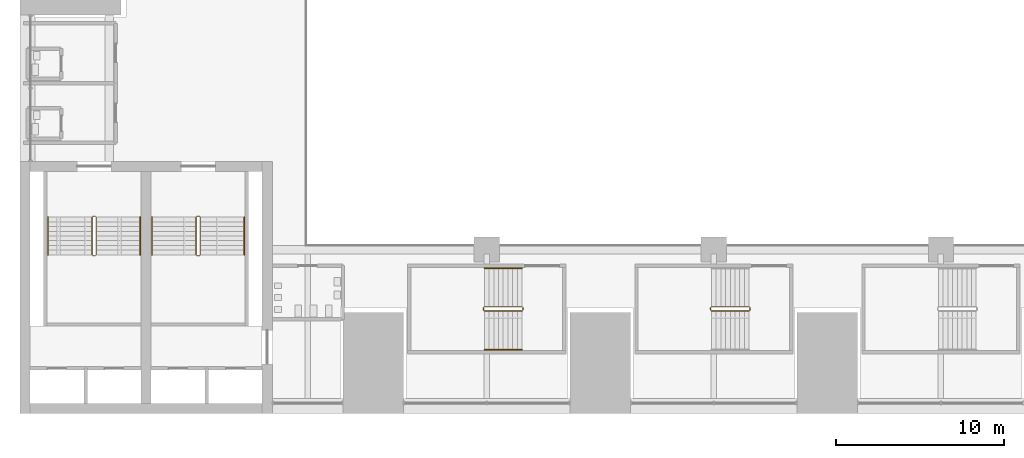
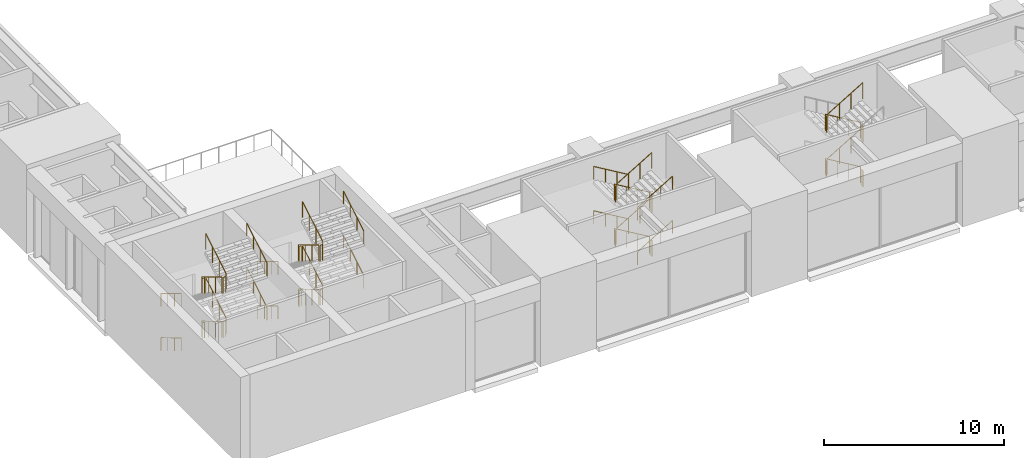
# One storey, part 37 of 43: 7 railings.
"""IFC4 building model written with IfcOpenShell, lengths in metres."""

from ifc_helpers import new_model, si_unit, direction, frame, origin, origin_2d, place, context, subcontext, project, spatial, circle, extrude, material, type_object, element, save


model = new_model("IFC4")

# Units and contexts
model_context = context("Model", 3, precision=1e-05, world=origin(), true_north=direction((0.0, 1.0)))
body_context = subcontext(model_context, "Body", "Model", "MODEL_VIEW")
ifc_project = project(units=[si_unit("LENGTHUNIT", "METRE"), si_unit("AREAUNIT", "SQUARE_METRE"), si_unit("VOLUMEUNIT", "CUBIC_METRE"), si_unit("PLANEANGLEUNIT", "RADIAN"), si_unit("MASSUNIT", "GRAM", prefix="KILO")], contexts=[model_context])

# Site, building, storey
site_placement = place(None, origin())
site = spatial("IfcSite", under=ifc_project, at=site_placement, CompositionType="ELEMENT")
building_placement = place(site_placement, origin())
building = spatial("IfcBuilding", under=site, at=building_placement, Name="Corbelhall Arena Tower", CompositionType="ELEMENT")
storey_placement = place(building_placement, frame((0.0, 0.0, 25.0)))
storey = spatial("IfcBuildingStorey", under=building, at=storey_placement, Name="L03", CompositionType="ELEMENT", Elevation=25.0)

# Railings
ifc_material = material(Name="Stainless steel A4", Category="steel")
railing_type_1 = type_object("IfcRailingType", Name="AR-STAIR-GUARD", PredefinedType="GUARDRAIL", material=ifc_material)
railing_1_placement = place(storey_placement, frame((-18.14990234375, -32.64990234375, 0.166748046875)))
element("IfcRailing", 1, at=railing_1_placement, inside=storey, type_object=railing_type_1, Name="L03 AS13 stair guards", PredefinedType="GUARDRAIL", context=body_context, shape_type="SweptSolid", body=[
    extrude(circle(Radius=0.02392578125, at=origin_2d()), frame((0.0, 0.0, 1.076171875), z_axis=(-0.859305625298, 0.0, 0.511462454469), x_axis=(0.0, -1.0, 0.0)), (0.0, 0.0, 1.0), 2.606689453125),
    extrude(circle(Radius=0.02392578125, at=origin_2d()), frame((-2.2900390625, -0.050048828125, 2.4091796875), z_axis=(0.0, -1.0, 0.0), x_axis=(1.0, 0.0, 0.0)), (0.0, 0.0, 1.0), 0.150146484375),
    extrude(circle(Radius=0.02392578125, at=origin_2d()), frame((-2.239990234375, -0.25, 2.576171875), z_axis=(0.859305625298, 0.0, 0.511462454469), x_axis=(0.0, 1.0, 0.0)), (0.0, 0.0, 1.0), 2.606689453125),
    extrude(circle(Radius=0.02392578125, at=origin_2d()), frame((0.0498046875, -0.050048828125, 3.9091796875), z_axis=(0.0, -1.0, 0.0), x_axis=(1.0, 0.0, 0.0)), (0.0, 0.0, 1.0), 0.150146484375),
    extrude(circle(Radius=0.02392578125, at=origin_2d()), frame((0.0, 0.0, 4.076171875), z_axis=(-0.859305625298, 0.0, 0.511462454469), x_axis=(0.0, -1.0, 0.0)), (0.0, 0.0, 1.0), 2.606689453125),
    extrude(circle(Radius=0.02392578125, at=origin_2d()), frame((-2.2900390625, -0.050048828125, 5.4091796875), z_axis=(0.0, -1.0, 0.0), x_axis=(1.0, 0.0, 0.0)), (0.0, 0.0, 1.0), 0.150146484375),
    extrude(circle(Radius=0.02392578125, at=origin_2d()), frame((-2.239990234375, -0.25, 5.576171875), z_axis=(0.859305625298, 0.0, 0.511462454469), x_axis=(0.0, 1.0, 0.0)), (0.0, 0.0, 1.0), 2.606689453125),
    extrude(circle(Radius=0.02392578125, at=origin_2d()), frame((0.0498046875, -0.050048828125, 0.9091796875), z_axis=(0.0, -1.0, 0.0), x_axis=(1.0, 0.0, 0.0)), (0.0, 0.0, 1.0), 0.150146484375),
    extrude(circle(Radius=0.02099609375, at=origin_2d()), origin(), (0.0, 0.0, 1.0), 1.052001953125),
    extrude(circle(Radius=0.02099609375, at=origin_2d()), frame((-0.74658203125, 0.0, 0.4443359375)), (0.0, 0.0, 1.0), 1.052001953125),
    extrude(circle(Radius=0.02099609375, at=origin_2d()), frame((-1.493408203125, 0.0, 0.888916015625)), (0.0, 0.0, 1.0), 1.052001953125),
    extrude(circle(Radius=0.02099609375, at=origin_2d()), frame((-2.239990234375, 0.0, 1.333251953125)), (0.0, 0.0, 1.0), 1.052001953125),
    extrude(circle(Radius=0.02099609375, at=origin_2d()), frame((-2.2900390625, -0.050048828125, 1.333251953125)), (0.0, 0.0, 1.0), 1.052001953125),
    extrude(circle(Radius=0.02099609375, at=origin_2d()), frame((-2.2900390625, -0.2001953125, 1.333251953125)), (0.0, 0.0, 1.0), 1.052001953125),
    extrude(circle(Radius=0.02099609375, at=origin_2d()), frame((-2.239990234375, -0.25, 1.5)), (0.0, 0.0, 1.0), 1.052001953125),
    extrude(circle(Radius=0.02099609375, at=origin_2d()), frame((-1.493408203125, -0.25, 1.9443359375)), (0.0, 0.0, 1.0), 1.052001953125),
    extrude(circle(Radius=0.02099609375, at=origin_2d()), frame((-0.74658203125, -0.25, 2.388916015625)), (0.0, 0.0, 1.0), 1.052001953125),
    extrude(circle(Radius=0.02099609375, at=origin_2d()), frame((0.0, -0.25, 2.833251953125)), (0.0, 0.0, 1.0), 1.052001953125),
    extrude(circle(Radius=0.02099609375, at=origin_2d()), frame((0.0498046875, -0.050048828125, 2.833251953125)), (0.0, 0.0, 1.0), 1.052001953125),
    extrude(circle(Radius=0.02099609375, at=origin_2d()), frame((0.0498046875, -0.2001953125, 2.833251953125)), (0.0, 0.0, 1.0), 1.052001953125),
    extrude(circle(Radius=0.02099609375, at=origin_2d()), frame((0.0, 0.0, 3.0)), (0.0, 0.0, 1.0), 1.052001953125),
    extrude(circle(Radius=0.02099609375, at=origin_2d()), frame((-0.74658203125, 0.0, 3.4443359375)), (0.0, 0.0, 1.0), 1.052001953125),
    extrude(circle(Radius=0.02099609375, at=origin_2d()), frame((-1.493408203125, 0.0, 3.888916015625)), (0.0, 0.0, 1.0), 1.052001953125),
    extrude(circle(Radius=0.02099609375, at=origin_2d()), frame((-2.239990234375, 0.0, 4.333251953125)), (0.0, 0.0, 1.0), 1.052001953125),
    extrude(circle(Radius=0.02099609375, at=origin_2d()), frame((-2.2900390625, -0.050048828125, 4.333251953125)), (0.0, 0.0, 1.0), 1.052001953125),
    extrude(circle(Radius=0.02099609375, at=origin_2d()), frame((-2.2900390625, -0.2001953125, 4.333251953125)), (0.0, 0.0, 1.0), 1.052001953125),
    extrude(circle(Radius=0.02099609375, at=origin_2d()), frame((-2.239990234375, -0.25, 4.5)), (0.0, 0.0, 1.0), 1.052001953125),
    extrude(circle(Radius=0.02099609375, at=origin_2d()), frame((-1.493408203125, -0.25, 4.9443359375)), (0.0, 0.0, 1.0), 1.052001953125),
    extrude(circle(Radius=0.02099609375, at=origin_2d()), frame((-0.74658203125, -0.25, 5.388916015625)), (0.0, 0.0, 1.0), 1.052001953125),
    extrude(circle(Radius=0.02099609375, at=origin_2d()), frame((0.0, -0.25, 5.833251953125)), (0.0, 0.0, 1.0), 1.052001953125),
    extrude(circle(Radius=0.02099609375, at=origin_2d()), frame((0.0498046875, -0.050048828125, -0.166748046875)), (0.0, 0.0, 1.0), 1.052001953125),
    extrude(circle(Radius=0.02099609375, at=origin_2d()), frame((0.0498046875, -0.2001953125, -0.166748046875)), (0.0, 0.0, 1.0), 1.052001953125),
])
railing_2_placement = place(storey_placement, frame((-4.64990234375, -32.64990234375, 0.166748046875)))
element("IfcRailing", 2, at=railing_2_placement, inside=storey, type_object=railing_type_1, Name="L03 AS14 stair guards", PredefinedType="GUARDRAIL", context=body_context, shape_type="SweptSolid", body=[
    extrude(circle(Radius=0.02392578125, at=origin_2d()), frame((0.0, 0.0, 1.076171875), z_axis=(-0.859305625298, 0.0, 0.511462454469), x_axis=(0.0, -1.0, 0.0)), (0.0, 0.0, 1.0), 2.606689453125),
    extrude(circle(Radius=0.02392578125, at=origin_2d()), frame((-2.2900390625, -0.050048828125, 2.4091796875), z_axis=(0.0, -1.0, 0.0), x_axis=(1.0, 0.0, 0.0)), (0.0, 0.0, 1.0), 0.150146484375),
    extrude(circle(Radius=0.02392578125, at=origin_2d()), frame((-2.239990234375, -0.25, 2.576171875), z_axis=(0.859305625298, 0.0, 0.511462454469), x_axis=(0.0, 1.0, 0.0)), (0.0, 0.0, 1.0), 2.606689453125),
    extrude(circle(Radius=0.02392578125, at=origin_2d()), frame((0.0498046875, -0.050048828125, 3.9091796875), z_axis=(0.0, -1.0, 0.0), x_axis=(1.0, 0.0, 0.0)), (0.0, 0.0, 1.0), 0.150146484375),
    extrude(circle(Radius=0.02392578125, at=origin_2d()), frame((0.0, 0.0, 4.076171875), z_axis=(-0.859305625298, 0.0, 0.511462454469), x_axis=(0.0, -1.0, 0.0)), (0.0, 0.0, 1.0), 2.606689453125),
    extrude(circle(Radius=0.02392578125, at=origin_2d()), frame((-2.2900390625, -0.050048828125, 5.4091796875), z_axis=(0.0, -1.0, 0.0), x_axis=(1.0, 0.0, 0.0)), (0.0, 0.0, 1.0), 0.150146484375),
    extrude(circle(Radius=0.02392578125, at=origin_2d()), frame((-2.239990234375, -0.25, 5.576171875), z_axis=(0.859305625298, 0.0, 0.511462454469), x_axis=(0.0, 1.0, 0.0)), (0.0, 0.0, 1.0), 2.606689453125),
    extrude(circle(Radius=0.02392578125, at=origin_2d()), frame((0.0498046875, -0.050048828125, 0.9091796875), z_axis=(0.0, -1.0, 0.0), x_axis=(1.0, 0.0, 0.0)), (0.0, 0.0, 1.0), 0.150146484375),
    extrude(circle(Radius=0.02099609375, at=origin_2d()), origin(), (0.0, 0.0, 1.0), 1.052001953125),
    extrude(circle(Radius=0.02099609375, at=origin_2d()), frame((-0.74658203125, 0.0, 0.4443359375)), (0.0, 0.0, 1.0), 1.052001953125),
    extrude(circle(Radius=0.02099609375, at=origin_2d()), frame((-1.493408203125, 0.0, 0.888916015625)), (0.0, 0.0, 1.0), 1.052001953125),
    extrude(circle(Radius=0.02099609375, at=origin_2d()), frame((-2.239990234375, 0.0, 1.333251953125)), (0.0, 0.0, 1.0), 1.052001953125),
    extrude(circle(Radius=0.02099609375, at=origin_2d()), frame((-2.2900390625, -0.050048828125, 1.333251953125)), (0.0, 0.0, 1.0), 1.052001953125),
    extrude(circle(Radius=0.02099609375, at=origin_2d()), frame((-2.2900390625, -0.2001953125, 1.333251953125)), (0.0, 0.0, 1.0), 1.052001953125),
    extrude(circle(Radius=0.02099609375, at=origin_2d()), frame((-2.239990234375, -0.25, 1.5)), (0.0, 0.0, 1.0), 1.052001953125),
    extrude(circle(Radius=0.02099609375, at=origin_2d()), frame((-1.493408203125, -0.25, 1.9443359375)), (0.0, 0.0, 1.0), 1.052001953125),
    extrude(circle(Radius=0.02099609375, at=origin_2d()), frame((-0.74658203125, -0.25, 2.388916015625)), (0.0, 0.0, 1.0), 1.052001953125),
    extrude(circle(Radius=0.02099609375, at=origin_2d()), frame((0.0, -0.25, 2.833251953125)), (0.0, 0.0, 1.0), 1.052001953125),
    extrude(circle(Radius=0.02099609375, at=origin_2d()), frame((0.0498046875, -0.050048828125, 2.833251953125)), (0.0, 0.0, 1.0), 1.052001953125),
    extrude(circle(Radius=0.02099609375, at=origin_2d()), frame((0.0498046875, -0.2001953125, 2.833251953125)), (0.0, 0.0, 1.0), 1.052001953125),
    extrude(circle(Radius=0.02099609375, at=origin_2d()), frame((0.0, 0.0, 3.0)), (0.0, 0.0, 1.0), 1.052001953125),
    extrude(circle(Radius=0.02099609375, at=origin_2d()), frame((-0.74658203125, 0.0, 3.4443359375)), (0.0, 0.0, 1.0), 1.052001953125),
    extrude(circle(Radius=0.02099609375, at=origin_2d()), frame((-1.493408203125, 0.0, 3.888916015625)), (0.0, 0.0, 1.0), 1.052001953125),
    extrude(circle(Radius=0.02099609375, at=origin_2d()), frame((-2.239990234375, 0.0, 4.333251953125)), (0.0, 0.0, 1.0), 1.052001953125),
    extrude(circle(Radius=0.02099609375, at=origin_2d()), frame((-2.2900390625, -0.050048828125, 4.333251953125)), (0.0, 0.0, 1.0), 1.052001953125),
    extrude(circle(Radius=0.02099609375, at=origin_2d()), frame((-2.2900390625, -0.2001953125, 4.333251953125)), (0.0, 0.0, 1.0), 1.052001953125),
    extrude(circle(Radius=0.02099609375, at=origin_2d()), frame((-2.239990234375, -0.25, 4.5)), (0.0, 0.0, 1.0), 1.052001953125),
    extrude(circle(Radius=0.02099609375, at=origin_2d()), frame((-1.493408203125, -0.25, 4.9443359375)), (0.0, 0.0, 1.0), 1.052001953125),
    extrude(circle(Radius=0.02099609375, at=origin_2d()), frame((-0.74658203125, -0.25, 5.388916015625)), (0.0, 0.0, 1.0), 1.052001953125),
    extrude(circle(Radius=0.02099609375, at=origin_2d()), frame((0.0, -0.25, 5.833251953125)), (0.0, 0.0, 1.0), 1.052001953125),
    extrude(circle(Radius=0.02099609375, at=origin_2d()), frame((0.0498046875, -0.050048828125, -0.166748046875)), (0.0, 0.0, 1.0), 1.052001953125),
    extrude(circle(Radius=0.02099609375, at=origin_2d()), frame((0.0498046875, -0.2001953125, -0.166748046875)), (0.0, 0.0, 1.0), 1.052001953125),
])
railing_3_placement = place(storey_placement, frame((-37.530029296875, -27.320068359375, 0.166748046875)))
element("IfcRailing", 3, at=railing_3_placement, inside=storey, type_object=railing_type_1, Name="L03 AS7 stair guards", PredefinedType="GUARDRAIL", context=body_context, shape_type="SweptSolid", body=[
    extrude(circle(Radius=0.02392578125, at=origin_2d()), frame((0.0, 0.0, 1.076171875), z_axis=(0.0, -0.859305625298, 0.511462454469), x_axis=(1.0, 0.0, 0.0)), (0.0, 0.0, 1.0), 2.606689453125),
    extrude(circle(Radius=0.02392578125, at=origin_2d()), frame((0.050048828125, -2.2900390625, 2.4091796875), z_axis=(1.0, 0.0, 0.0), x_axis=(0.0, 1.0, 0.0)), (0.0, 0.0, 1.0), 0.14990234375),
    extrude(circle(Radius=0.02392578125, at=origin_2d()), frame((0.25, -2.239990234375, 2.576171875), z_axis=(0.0, 0.859305625298, 0.511462454469), x_axis=(-1.0, 0.0, 0.0)), (0.0, 0.0, 1.0), 2.606689453125),
    extrude(circle(Radius=0.02392578125, at=origin_2d()), frame((0.050048828125, 0.050048828125, 3.9091796875), z_axis=(1.0, 0.0, 0.0), x_axis=(0.0, 1.0, 0.0)), (0.0, 0.0, 1.0), 0.14990234375),
    extrude(circle(Radius=0.02392578125, at=origin_2d()), frame((0.0, 0.0, 4.076171875), z_axis=(0.0, -0.859305625298, 0.511462454469), x_axis=(1.0, 0.0, 0.0)), (0.0, 0.0, 1.0), 2.606689453125),
    extrude(circle(Radius=0.02392578125, at=origin_2d()), frame((0.050048828125, -2.2900390625, 5.4091796875), z_axis=(1.0, 0.0, 0.0), x_axis=(0.0, 1.0, 0.0)), (0.0, 0.0, 1.0), 0.14990234375),
    extrude(circle(Radius=0.02392578125, at=origin_2d()), frame((0.25, -2.239990234375, 5.576171875), z_axis=(0.0, 0.859305625298, 0.511462454469), x_axis=(-1.0, 0.0, 0.0)), (0.0, 0.0, 1.0), 2.606689453125),
    extrude(circle(Radius=0.02392578125, at=origin_2d()), frame((0.050048828125, 0.050048828125, 0.9091796875), z_axis=(1.0, 0.0, 0.0), x_axis=(0.0, 1.0, 0.0)), (0.0, 0.0, 1.0), 0.14990234375),
    extrude(circle(Radius=0.02099609375, at=origin_2d()), origin(), (0.0, 0.0, 1.0), 1.052001953125),
    extrude(circle(Radius=0.02099609375, at=origin_2d()), frame((0.0, -0.74658203125, 0.4443359375)), (0.0, 0.0, 1.0), 1.052001953125),
    extrude(circle(Radius=0.02099609375, at=origin_2d()), frame((0.0, -1.493408203125, 0.888916015625)), (0.0, 0.0, 1.0), 1.052001953125),
    extrude(circle(Radius=0.02099609375, at=origin_2d()), frame((0.0, -2.239990234375, 1.333251953125)), (0.0, 0.0, 1.0), 1.052001953125),
    extrude(circle(Radius=0.02099609375, at=origin_2d()), frame((0.050048828125, -2.2900390625, 1.333251953125)), (0.0, 0.0, 1.0), 1.052001953125),
    extrude(circle(Radius=0.02099609375, at=origin_2d()), frame((0.199951171875, -2.2900390625, 1.333251953125)), (0.0, 0.0, 1.0), 1.052001953125),
    extrude(circle(Radius=0.02099609375, at=origin_2d()), frame((0.25, -2.239990234375, 1.5)), (0.0, 0.0, 1.0), 1.052001953125),
    extrude(circle(Radius=0.02099609375, at=origin_2d()), frame((0.25, -1.493408203125, 1.9443359375)), (0.0, 0.0, 1.0), 1.052001953125),
    extrude(circle(Radius=0.02099609375, at=origin_2d()), frame((0.25, -0.74658203125, 2.388916015625)), (0.0, 0.0, 1.0), 1.052001953125),
    extrude(circle(Radius=0.02099609375, at=origin_2d()), frame((0.25, 0.0, 2.833251953125)), (0.0, 0.0, 1.0), 1.052001953125),
    extrude(circle(Radius=0.02099609375, at=origin_2d()), frame((0.050048828125, 0.050048828125, 2.833251953125)), (0.0, 0.0, 1.0), 1.052001953125),
    extrude(circle(Radius=0.02099609375, at=origin_2d()), frame((0.199951171875, 0.050048828125, 2.833251953125)), (0.0, 0.0, 1.0), 1.052001953125),
    extrude(circle(Radius=0.02099609375, at=origin_2d()), frame((0.0, 0.0, 3.0)), (0.0, 0.0, 1.0), 1.052001953125),
    extrude(circle(Radius=0.02099609375, at=origin_2d()), frame((0.0, -0.74658203125, 3.4443359375)), (0.0, 0.0, 1.0), 1.052001953125),
    extrude(circle(Radius=0.02099609375, at=origin_2d()), frame((0.0, -1.493408203125, 3.888916015625)), (0.0, 0.0, 1.0), 1.052001953125),
    extrude(circle(Radius=0.02099609375, at=origin_2d()), frame((0.0, -2.239990234375, 4.333251953125)), (0.0, 0.0, 1.0), 1.052001953125),
    extrude(circle(Radius=0.02099609375, at=origin_2d()), frame((0.050048828125, -2.2900390625, 4.333251953125)), (0.0, 0.0, 1.0), 1.052001953125),
    extrude(circle(Radius=0.02099609375, at=origin_2d()), frame((0.199951171875, -2.2900390625, 4.333251953125)), (0.0, 0.0, 1.0), 1.052001953125),
    extrude(circle(Radius=0.02099609375, at=origin_2d()), frame((0.25, -2.239990234375, 4.5)), (0.0, 0.0, 1.0), 1.052001953125),
    extrude(circle(Radius=0.02099609375, at=origin_2d()), frame((0.25, -1.493408203125, 4.9443359375)), (0.0, 0.0, 1.0), 1.052001953125),
    extrude(circle(Radius=0.02099609375, at=origin_2d()), frame((0.25, -0.74658203125, 5.388916015625)), (0.0, 0.0, 1.0), 1.052001953125),
    extrude(circle(Radius=0.02099609375, at=origin_2d()), frame((0.25, 0.0, 5.833251953125)), (0.0, 0.0, 1.0), 1.052001953125),
    extrude(circle(Radius=0.02099609375, at=origin_2d()), frame((0.050048828125, 0.050048828125, -0.166748046875)), (0.0, 0.0, 1.0), 1.052001953125),
    extrude(circle(Radius=0.02099609375, at=origin_2d()), frame((0.199951171875, 0.050048828125, -0.166748046875)), (0.0, 0.0, 1.0), 1.052001953125),
])
railing_4_placement = place(storey_placement, frame((-43.719970703125, -27.320068359375, 0.166748046875)))
element("IfcRailing", 4, at=railing_4_placement, inside=storey, type_object=railing_type_1, Name="L03 AS8 stair guards", PredefinedType="GUARDRAIL", context=body_context, shape_type="SweptSolid", body=[
    extrude(circle(Radius=0.02392578125, at=origin_2d()), frame((0.0, 0.0, 1.076171875), z_axis=(0.0, -0.859305625298, 0.511462454469), x_axis=(1.0, 0.0, 0.0)), (0.0, 0.0, 1.0), 2.606689453125),
    extrude(circle(Radius=0.02392578125, at=origin_2d()), frame((0.050048828125, -2.2900390625, 2.4091796875), z_axis=(1.0, 0.0, 0.0), x_axis=(0.0, 1.0, 0.0)), (0.0, 0.0, 1.0), 0.14990234375),
    extrude(circle(Radius=0.02392578125, at=origin_2d()), frame((0.25, -2.239990234375, 2.576171875), z_axis=(0.0, 0.859305625298, 0.511462454469), x_axis=(-1.0, 0.0, 0.0)), (0.0, 0.0, 1.0), 2.606689453125),
    extrude(circle(Radius=0.02392578125, at=origin_2d()), frame((0.050048828125, 0.050048828125, 3.9091796875), z_axis=(1.0, 0.0, 0.0), x_axis=(0.0, 1.0, 0.0)), (0.0, 0.0, 1.0), 0.14990234375),
    extrude(circle(Radius=0.02392578125, at=origin_2d()), frame((0.0, 0.0, 4.076171875), z_axis=(0.0, -0.859305625298, 0.511462454469), x_axis=(1.0, 0.0, 0.0)), (0.0, 0.0, 1.0), 2.606689453125),
    extrude(circle(Radius=0.02392578125, at=origin_2d()), frame((0.050048828125, -2.2900390625, 5.4091796875), z_axis=(1.0, 0.0, 0.0), x_axis=(0.0, 1.0, 0.0)), (0.0, 0.0, 1.0), 0.14990234375),
    extrude(circle(Radius=0.02392578125, at=origin_2d()), frame((0.25, -2.239990234375, 5.576171875), z_axis=(0.0, 0.859305625298, 0.511462454469), x_axis=(-1.0, 0.0, 0.0)), (0.0, 0.0, 1.0), 2.606689453125),
    extrude(circle(Radius=0.02392578125, at=origin_2d()), frame((0.050048828125, 0.050048828125, 0.9091796875), z_axis=(1.0, 0.0, 0.0), x_axis=(0.0, 1.0, 0.0)), (0.0, 0.0, 1.0), 0.14990234375),
    extrude(circle(Radius=0.02099609375, at=origin_2d()), origin(), (0.0, 0.0, 1.0), 1.052001953125),
    extrude(circle(Radius=0.02099609375, at=origin_2d()), frame((0.0, -0.74658203125, 0.4443359375)), (0.0, 0.0, 1.0), 1.052001953125),
    extrude(circle(Radius=0.02099609375, at=origin_2d()), frame((0.0, -1.493408203125, 0.888916015625)), (0.0, 0.0, 1.0), 1.052001953125),
    extrude(circle(Radius=0.02099609375, at=origin_2d()), frame((0.0, -2.239990234375, 1.333251953125)), (0.0, 0.0, 1.0), 1.052001953125),
    extrude(circle(Radius=0.02099609375, at=origin_2d()), frame((0.050048828125, -2.2900390625, 1.333251953125)), (0.0, 0.0, 1.0), 1.052001953125),
    extrude(circle(Radius=0.02099609375, at=origin_2d()), frame((0.199951171875, -2.2900390625, 1.333251953125)), (0.0, 0.0, 1.0), 1.052001953125),
    extrude(circle(Radius=0.02099609375, at=origin_2d()), frame((0.25, -2.239990234375, 1.5)), (0.0, 0.0, 1.0), 1.052001953125),
    extrude(circle(Radius=0.02099609375, at=origin_2d()), frame((0.25, -1.493408203125, 1.9443359375)), (0.0, 0.0, 1.0), 1.052001953125),
    extrude(circle(Radius=0.02099609375, at=origin_2d()), frame((0.25, -0.74658203125, 2.388916015625)), (0.0, 0.0, 1.0), 1.052001953125),
    extrude(circle(Radius=0.02099609375, at=origin_2d()), frame((0.25, 0.0, 2.833251953125)), (0.0, 0.0, 1.0), 1.052001953125),
    extrude(circle(Radius=0.02099609375, at=origin_2d()), frame((0.050048828125, 0.050048828125, 2.833251953125)), (0.0, 0.0, 1.0), 1.052001953125),
    extrude(circle(Radius=0.02099609375, at=origin_2d()), frame((0.199951171875, 0.050048828125, 2.833251953125)), (0.0, 0.0, 1.0), 1.052001953125),
    extrude(circle(Radius=0.02099609375, at=origin_2d()), frame((0.0, 0.0, 3.0)), (0.0, 0.0, 1.0), 1.052001953125),
    extrude(circle(Radius=0.02099609375, at=origin_2d()), frame((0.0, -0.74658203125, 3.4443359375)), (0.0, 0.0, 1.0), 1.052001953125),
    extrude(circle(Radius=0.02099609375, at=origin_2d()), frame((0.0, -1.493408203125, 3.888916015625)), (0.0, 0.0, 1.0), 1.052001953125),
    extrude(circle(Radius=0.02099609375, at=origin_2d()), frame((0.0, -2.239990234375, 4.333251953125)), (0.0, 0.0, 1.0), 1.052001953125),
    extrude(circle(Radius=0.02099609375, at=origin_2d()), frame((0.050048828125, -2.2900390625, 4.333251953125)), (0.0, 0.0, 1.0), 1.052001953125),
    extrude(circle(Radius=0.02099609375, at=origin_2d()), frame((0.199951171875, -2.2900390625, 4.333251953125)), (0.0, 0.0, 1.0), 1.052001953125),
    extrude(circle(Radius=0.02099609375, at=origin_2d()), frame((0.25, -2.239990234375, 4.5)), (0.0, 0.0, 1.0), 1.052001953125),
    extrude(circle(Radius=0.02099609375, at=origin_2d()), frame((0.25, -1.493408203125, 4.9443359375)), (0.0, 0.0, 1.0), 1.052001953125),
    extrude(circle(Radius=0.02099609375, at=origin_2d()), frame((0.25, -0.74658203125, 5.388916015625)), (0.0, 0.0, 1.0), 1.052001953125),
    extrude(circle(Radius=0.02099609375, at=origin_2d()), frame((0.25, 0.0, 5.833251953125)), (0.0, 0.0, 1.0), 1.052001953125),
    extrude(circle(Radius=0.02099609375, at=origin_2d()), frame((0.050048828125, 0.050048828125, -0.166748046875)), (0.0, 0.0, 1.0), 1.052001953125),
    extrude(circle(Radius=0.02099609375, at=origin_2d()), frame((0.199951171875, 0.050048828125, -0.166748046875)), (0.0, 0.0, 1.0), 1.052001953125),
])
railing_type_2 = type_object("IfcRailingType", Name="AR-STAIR-HANDRAIL", PredefinedType="HANDRAIL", material=ifc_material)
railing_5_placement = place(storey_placement, frame((-18.14990234375, -30.35009765625, 0.166748046875)))
element("IfcRailing", 5, at=railing_5_placement, inside=storey, type_object=railing_type_2, Name="L03 AS13 stair handrails", PredefinedType="HANDRAIL", context=body_context, shape_type="SweptSolid", body=[
    extrude(circle(Radius=0.02392578125, at=origin_2d()), frame((0.0, 0.0, 0.8759765625), z_axis=(-0.859305625298, 0.0, 0.511462454469), x_axis=(0.0, -1.0, 0.0)), (0.0, 0.0, 1.0), 2.606689453125),
    extrude(circle(Radius=0.02392578125, at=origin_2d()), frame((-2.239990234375, -4.849853515625, 2.3759765625), z_axis=(0.859305625298, 0.0, 0.511462454469), x_axis=(0.0, 1.0, 0.0)), (0.0, 0.0, 1.0), 2.606689453125),
    extrude(circle(Radius=0.02392578125, at=origin_2d()), frame((0.0, 0.0, 3.8759765625), z_axis=(-0.859305625298, 0.0, 0.511462454469), x_axis=(0.0, -1.0, 0.0)), (0.0, 0.0, 1.0), 2.606689453125),
    extrude(circle(Radius=0.02392578125, at=origin_2d()), frame((-2.239990234375, -4.849853515625, 5.3759765625), z_axis=(0.859305625298, 0.0, 0.511462454469), x_axis=(0.0, 1.0, 0.0)), (0.0, 0.0, 1.0), 2.606689453125),
    extrude(circle(Radius=0.02099609375, at=origin_2d()), origin(), (0.0, 0.0, 1.0), 0.851806640625),
    extrude(circle(Radius=0.02099609375, at=origin_2d()), frame((-0.74658203125, 0.0, 0.4443359375)), (0.0, 0.0, 1.0), 0.851806640625),
    extrude(circle(Radius=0.02099609375, at=origin_2d()), frame((-1.493408203125, 0.0, 0.888916015625)), (0.0, 0.0, 1.0), 0.851806640625),
    extrude(circle(Radius=0.02099609375, at=origin_2d()), frame((-2.239990234375, 0.0, 1.333251953125)), (0.0, 0.0, 1.0), 0.851806640625),
    extrude(circle(Radius=0.02099609375, at=origin_2d()), frame((-2.239990234375, -4.849853515625, 1.5)), (0.0, 0.0, 1.0), 0.851806640625),
    extrude(circle(Radius=0.02099609375, at=origin_2d()), frame((-1.493408203125, -4.849853515625, 1.9443359375)), (0.0, 0.0, 1.0), 0.851806640625),
    extrude(circle(Radius=0.02099609375, at=origin_2d()), frame((-0.74658203125, -4.849853515625, 2.388916015625)), (0.0, 0.0, 1.0), 0.851806640625),
    extrude(circle(Radius=0.02099609375, at=origin_2d()), frame((0.0, -4.849853515625, 2.833251953125)), (0.0, 0.0, 1.0), 0.851806640625),
    extrude(circle(Radius=0.02099609375, at=origin_2d()), frame((0.0, 0.0, 3.0)), (0.0, 0.0, 1.0), 0.851806640625),
    extrude(circle(Radius=0.02099609375, at=origin_2d()), frame((-0.74658203125, 0.0, 3.4443359375)), (0.0, 0.0, 1.0), 0.851806640625),
    extrude(circle(Radius=0.02099609375, at=origin_2d()), frame((-1.493408203125, 0.0, 3.888916015625)), (0.0, 0.0, 1.0), 0.851806640625),
    extrude(circle(Radius=0.02099609375, at=origin_2d()), frame((-2.239990234375, 0.0, 4.333251953125)), (0.0, 0.0, 1.0), 0.851806640625),
    extrude(circle(Radius=0.02099609375, at=origin_2d()), frame((-2.239990234375, -4.849853515625, 4.5)), (0.0, 0.0, 1.0), 0.851806640625),
    extrude(circle(Radius=0.02099609375, at=origin_2d()), frame((-1.493408203125, -4.849853515625, 4.9443359375)), (0.0, 0.0, 1.0), 0.851806640625),
    extrude(circle(Radius=0.02099609375, at=origin_2d()), frame((-0.74658203125, -4.849853515625, 5.388916015625)), (0.0, 0.0, 1.0), 0.851806640625),
    extrude(circle(Radius=0.02099609375, at=origin_2d()), frame((0.0, -4.849853515625, 5.833251953125)), (0.0, 0.0, 1.0), 0.851806640625),
])
railing_6_placement = place(storey_placement, frame((-40.14990234375, -27.320068359375, 0.166748046875)))
element("IfcRailing", 6, at=railing_6_placement, inside=storey, type_object=railing_type_2, Name="L03 AS7 stair handrails", PredefinedType="HANDRAIL", context=body_context, shape_type="SweptSolid", body=[
    extrude(circle(Radius=0.02392578125, at=origin_2d()), frame((0.0, 0.0, 0.8759765625), z_axis=(0.0, -0.859305625298, 0.511462454469), x_axis=(1.0, 0.0, 0.0)), (0.0, 0.0, 1.0), 2.606689453125),
    extrude(circle(Radius=0.02392578125, at=origin_2d()), frame((5.489990234375, -2.239990234375, 2.3759765625), z_axis=(0.0, 0.859305625298, 0.511462454469), x_axis=(-1.0, 0.0, 0.0)), (0.0, 0.0, 1.0), 2.606689453125),
    extrude(circle(Radius=0.02392578125, at=origin_2d()), frame((0.0, 0.0, 3.8759765625), z_axis=(0.0, -0.859305625298, 0.511462454469), x_axis=(1.0, 0.0, 0.0)), (0.0, 0.0, 1.0), 2.606689453125),
    extrude(circle(Radius=0.02392578125, at=origin_2d()), frame((5.489990234375, -2.239990234375, 5.3759765625), z_axis=(0.0, 0.859305625298, 0.511462454469), x_axis=(-1.0, 0.0, 0.0)), (0.0, 0.0, 1.0), 2.606689453125),
    extrude(circle(Radius=0.02099609375, at=origin_2d()), origin(), (0.0, 0.0, 1.0), 0.851806640625),
    extrude(circle(Radius=0.02099609375, at=origin_2d()), frame((0.0, -0.74658203125, 0.4443359375)), (0.0, 0.0, 1.0), 0.851806640625),
    extrude(circle(Radius=0.02099609375, at=origin_2d()), frame((0.0, -1.493408203125, 0.888916015625)), (0.0, 0.0, 1.0), 0.851806640625),
    extrude(circle(Radius=0.02099609375, at=origin_2d()), frame((0.0, -2.239990234375, 1.333251953125)), (0.0, 0.0, 1.0), 0.851806640625),
    extrude(circle(Radius=0.02099609375, at=origin_2d()), frame((5.489990234375, -2.239990234375, 1.5)), (0.0, 0.0, 1.0), 0.851806640625),
    extrude(circle(Radius=0.02099609375, at=origin_2d()), frame((5.489990234375, -1.493408203125, 1.9443359375)), (0.0, 0.0, 1.0), 0.851806640625),
    extrude(circle(Radius=0.02099609375, at=origin_2d()), frame((5.489990234375, -0.74658203125, 2.388916015625)), (0.0, 0.0, 1.0), 0.851806640625),
    extrude(circle(Radius=0.02099609375, at=origin_2d()), frame((5.489990234375, 0.0, 2.833251953125)), (0.0, 0.0, 1.0), 0.851806640625),
    extrude(circle(Radius=0.02099609375, at=origin_2d()), frame((0.0, 0.0, 3.0)), (0.0, 0.0, 1.0), 0.851806640625),
    extrude(circle(Radius=0.02099609375, at=origin_2d()), frame((0.0, -0.74658203125, 3.4443359375)), (0.0, 0.0, 1.0), 0.851806640625),
    extrude(circle(Radius=0.02099609375, at=origin_2d()), frame((0.0, -1.493408203125, 3.888916015625)), (0.0, 0.0, 1.0), 0.851806640625),
    extrude(circle(Radius=0.02099609375, at=origin_2d()), frame((0.0, -2.239990234375, 4.333251953125)), (0.0, 0.0, 1.0), 0.851806640625),
    extrude(circle(Radius=0.02099609375, at=origin_2d()), frame((5.489990234375, -2.239990234375, 4.5)), (0.0, 0.0, 1.0), 0.851806640625),
    extrude(circle(Radius=0.02099609375, at=origin_2d()), frame((5.489990234375, -1.493408203125, 4.9443359375)), (0.0, 0.0, 1.0), 0.851806640625),
    extrude(circle(Radius=0.02099609375, at=origin_2d()), frame((5.489990234375, -0.74658203125, 5.388916015625)), (0.0, 0.0, 1.0), 0.851806640625),
    extrude(circle(Radius=0.02099609375, at=origin_2d()), frame((5.489990234375, 0.0, 5.833251953125)), (0.0, 0.0, 1.0), 0.851806640625),
])
railing_7_placement = place(storey_placement, frame((-46.340087890625, -27.320068359375, 0.166748046875)))
element("IfcRailing", 7, at=railing_7_placement, inside=storey, type_object=railing_type_2, Name="L03 AS8 stair handrails", PredefinedType="HANDRAIL", context=body_context, shape_type="SweptSolid", body=[
    extrude(circle(Radius=0.02392578125, at=origin_2d()), frame((0.0, 0.0, 0.8759765625), z_axis=(0.0, -0.859305625298, 0.511462454469), x_axis=(1.0, 0.0, 0.0)), (0.0, 0.0, 1.0), 2.606689453125),
    extrude(circle(Radius=0.02392578125, at=origin_2d()), frame((5.489990234375, -2.239990234375, 2.3759765625), z_axis=(0.0, 0.859305625298, 0.511462454469), x_axis=(-1.0, 0.0, 0.0)), (0.0, 0.0, 1.0), 2.606689453125),
    extrude(circle(Radius=0.02392578125, at=origin_2d()), frame((0.0, 0.0, 3.8759765625), z_axis=(0.0, -0.859305625298, 0.511462454469), x_axis=(1.0, 0.0, 0.0)), (0.0, 0.0, 1.0), 2.606689453125),
    extrude(circle(Radius=0.02392578125, at=origin_2d()), frame((5.489990234375, -2.239990234375, 5.3759765625), z_axis=(0.0, 0.859305625298, 0.511462454469), x_axis=(-1.0, 0.0, 0.0)), (0.0, 0.0, 1.0), 2.606689453125),
    extrude(circle(Radius=0.02099609375, at=origin_2d()), origin(), (0.0, 0.0, 1.0), 0.851806640625),
    extrude(circle(Radius=0.02099609375, at=origin_2d()), frame((0.0, -0.74658203125, 0.4443359375)), (0.0, 0.0, 1.0), 0.851806640625),
    extrude(circle(Radius=0.02099609375, at=origin_2d()), frame((0.0, -1.493408203125, 0.888916015625)), (0.0, 0.0, 1.0), 0.851806640625),
    extrude(circle(Radius=0.02099609375, at=origin_2d()), frame((0.0, -2.239990234375, 1.333251953125)), (0.0, 0.0, 1.0), 0.851806640625),
    extrude(circle(Radius=0.02099609375, at=origin_2d()), frame((5.489990234375, -2.239990234375, 1.5)), (0.0, 0.0, 1.0), 0.851806640625),
    extrude(circle(Radius=0.02099609375, at=origin_2d()), frame((5.489990234375, -1.493408203125, 1.9443359375)), (0.0, 0.0, 1.0), 0.851806640625),
    extrude(circle(Radius=0.02099609375, at=origin_2d()), frame((5.489990234375, -0.74658203125, 2.388916015625)), (0.0, 0.0, 1.0), 0.851806640625),
    extrude(circle(Radius=0.02099609375, at=origin_2d()), frame((5.489990234375, 0.0, 2.833251953125)), (0.0, 0.0, 1.0), 0.851806640625),
    extrude(circle(Radius=0.02099609375, at=origin_2d()), frame((0.0, 0.0, 3.0)), (0.0, 0.0, 1.0), 0.851806640625),
    extrude(circle(Radius=0.02099609375, at=origin_2d()), frame((0.0, -0.74658203125, 3.4443359375)), (0.0, 0.0, 1.0), 0.851806640625),
    extrude(circle(Radius=0.02099609375, at=origin_2d()), frame((0.0, -1.493408203125, 3.888916015625)), (0.0, 0.0, 1.0), 0.851806640625),
    extrude(circle(Radius=0.02099609375, at=origin_2d()), frame((0.0, -2.239990234375, 4.333251953125)), (0.0, 0.0, 1.0), 0.851806640625),
    extrude(circle(Radius=0.02099609375, at=origin_2d()), frame((5.489990234375, -2.239990234375, 4.5)), (0.0, 0.0, 1.0), 0.851806640625),
    extrude(circle(Radius=0.02099609375, at=origin_2d()), frame((5.489990234375, -1.493408203125, 4.9443359375)), (0.0, 0.0, 1.0), 0.851806640625),
    extrude(circle(Radius=0.02099609375, at=origin_2d()), frame((5.489990234375, -0.74658203125, 5.388916015625)), (0.0, 0.0, 1.0), 0.851806640625),
    extrude(circle(Radius=0.02099609375, at=origin_2d()), frame((5.489990234375, 0.0, 5.833251953125)), (0.0, 0.0, 1.0), 0.851806640625),
])

save(model, "model.ifc")
